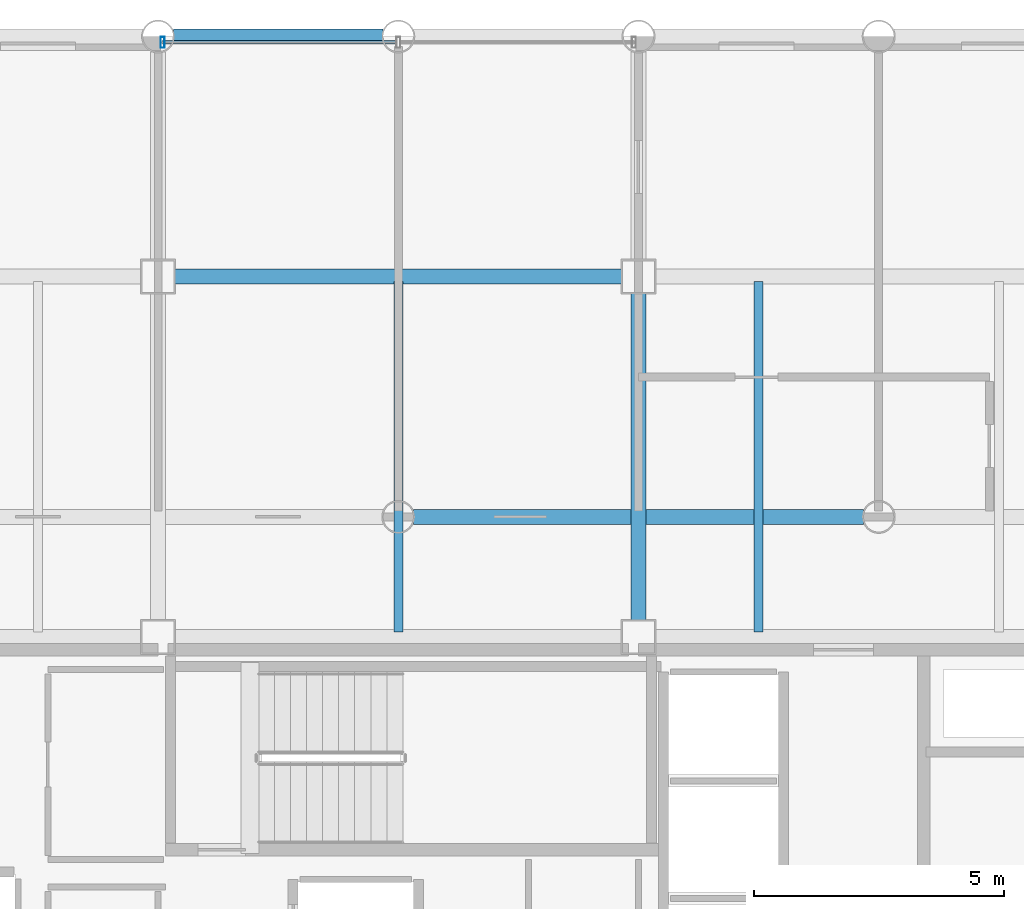
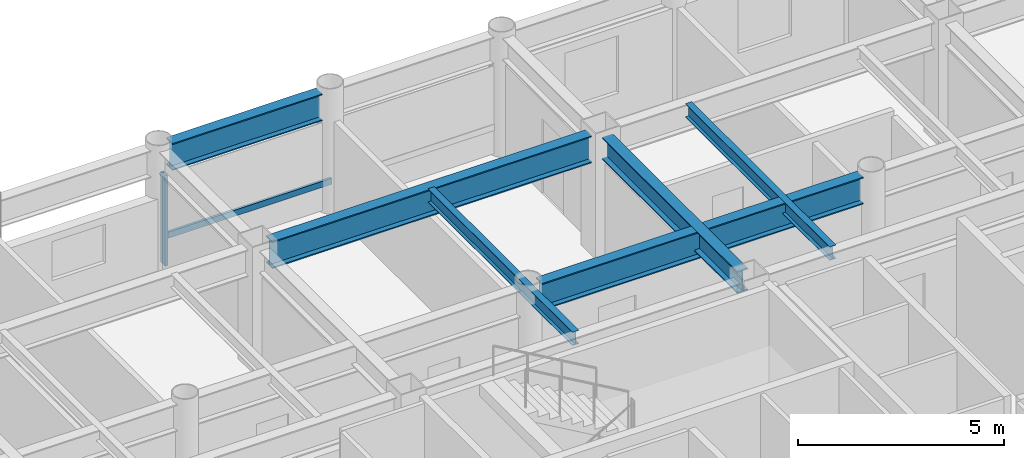
# One storey, part 11 of 20: 6 beams, 2 members, 1 element without a shape of its own.
"""IFC4 building model written with IfcOpenShell, lengths in metres."""

from ifc_helpers import new_model, si_unit, direction, frame, origin, origin_2d, place, context, subcontext, project, spatial, hollow_rectangle, i_section, extrude, material, layer, layer_set, material_profile, profile_set, type_object, element, aggregate, save


model = new_model("IFC4")

# Units and contexts
model_context = context("Model", 3, precision=1e-05, world=origin(), true_north=direction((0.0, 1.0)))
body_context = subcontext(model_context, "Body", "Model", "MODEL_VIEW")
ifc_project = project(units=[si_unit("LENGTHUNIT", "METRE"), si_unit("AREAUNIT", "SQUARE_METRE"), si_unit("VOLUMEUNIT", "CUBIC_METRE"), si_unit("PLANEANGLEUNIT", "RADIAN"), si_unit("MASSUNIT", "GRAM", prefix="KILO")], contexts=[model_context])

# Site, building, storey
site_placement = place(None, origin())
site = spatial("IfcSite", under=ifc_project, at=site_placement, CompositionType="ELEMENT")
building_placement = place(site_placement, origin())
building = spatial("IfcBuilding", under=site, at=building_placement, Name="Kallvorn Hotel Tower", CompositionType="ELEMENT")
storey_placement = place(building_placement, frame((0.0, 0.0, 161.800048828125)))
storey = spatial("IfcBuildingStorey", under=building, at=storey_placement, Name="L40", CompositionType="ELEMENT", Elevation=161.800048828125)

# Beams
ifc_material_1 = material(Name="Structural steel S355JR", Category="steel")
ifc_material_profile_1 = material_profile(ifc_material_1, i_section(OverallWidth=0.300048828125, OverallDepth=0.64990234375, WebThickness=0.01611328125, FlangeThickness=0.031005859375, at=origin_2d()), Name="HE 650 B")
ifc_profile_set_1 = profile_set([ifc_material_profile_1], Name="Structural steel S355JR")
beam_type_1 = type_object("IfcBeamType", Name="BM_HE650B", PredefinedType="BEAM", material=ifc_profile_set_1)
beam_1_placement = place(storey_placement, frame((4.800048828125, 7.52490234375, 3.195068359375), z_axis=(0.0, 1.0, 0.0), x_axis=(-1.0, 0.0, 0.0)))
element("IfcBeam", 1, at=beam_1_placement, inside=storey, type_object=beam_type_1, Name="L41 Primary Y-Girder 117", PredefinedType="BEAM", context=body_context, shape_type="SweptSolid", body=[
    extrude(i_section(OverallWidth=0.300048828125, OverallDepth=0.64990234375, WebThickness=0.01611328125, FlangeThickness=0.031005859375, at=origin_2d()), origin(), (0.0, 0.0, 1.0), 6.550048828125),
])
ifc_material_2 = material(Name="Structural steel S355JR", Category="steel")
ifc_material_profile_2 = material_profile(ifc_material_2, i_section(OverallWidth=0.300048828125, OverallDepth=0.800048828125, WebThickness=0.017578125, FlangeThickness=0.032958984375, at=origin_2d()), Name="HE 800 B")
ifc_profile_set_2 = profile_set([ifc_material_profile_2], Name="Structural steel S355JR")
beam_type_2 = type_object("IfcBeamType", Name="BM_HE800B", PredefinedType="BEAM", material=ifc_profile_set_2)
beam_2_placement = place(storey_placement, frame((0.304931640625, 9.60009765625, 3.119873046875), z_axis=(1.0, 0.0, 0.0), x_axis=(0.0, 1.0, 0.0)))
element("IfcBeam", 2, at=beam_2_placement, inside=storey, type_object=beam_type_2, Name="L41 Primary X-Girder 47", PredefinedType="BEAM", context=body_context, shape_type="SweptSolid", body=[
    extrude(i_section(OverallWidth=0.300048828125, OverallDepth=0.800048828125, WebThickness=0.017578125, FlangeThickness=0.032958984375, at=origin_2d()), origin(), (0.0, 0.0, 1.0), 8.989990234375),
])
beam_3_placement = place(storey_placement, frame((-4.47509765625, 14.39990234375, 3.119873046875), z_axis=(1.0, 0.0, 0.0), x_axis=(0.0, 1.0, 0.0)))
element("IfcBeam", 3, at=beam_3_placement, inside=storey, type_object=beam_type_2, Name="L41 Primary X-Girder 56", PredefinedType="BEAM", context=body_context, shape_type="SweptSolid", body=[
    extrude(i_section(OverallWidth=0.300048828125, OverallDepth=0.800048828125, WebThickness=0.017578125, FlangeThickness=0.032958984375, at=origin_2d()), origin(), (0.0, 0.0, 1.0), 8.9501953125),
])
beam_4_placement = place(storey_placement, frame((-4.4951171875, 19.199951171875, 3.119873046875), z_axis=(1.0, 0.0, 0.0), x_axis=(0.0, 1.0, 0.0)))
element("IfcBeam", 4, at=beam_4_placement, inside=storey, type_object=beam_type_2, Name="L41 Primary X-Girder 66", PredefinedType="BEAM", context=body_context, shape_type="SweptSolid", body=[
    extrude(i_section(OverallWidth=0.300048828125, OverallDepth=0.800048828125, WebThickness=0.017578125, FlangeThickness=0.032958984375, at=origin_2d()), origin(), (0.0, 0.0, 1.0), 4.190185546875),
])
ifc_material_3 = material(Name="Structural steel S355JR", Category="steel")
ifc_material_profile_3 = material_profile(ifc_material_3, i_section(OverallWidth=0.179931640625, OverallDepth=0.39990234375, WebThickness=0.008544921875, FlangeThickness=0.013427734375, at=origin_2d()), Name="IPE 400")
ifc_profile_set_3 = profile_set([ifc_material_profile_3], Name="Structural steel S355JR")
beam_type_3 = type_object("IfcBeamType", Name="BM_IPE400", PredefinedType="JOIST", material=ifc_profile_set_3)
for number, where, z_axis, x_axis, name in (
    (5, (0.0, 7.300048828125, 3.320068359375), (0.0, 1.0, 0.0), (-1.0, 0.0, 0.0), "L41 Secondary Composite Joist 201"),
    (6, (7.199951171875, 7.300048828125, 3.320068359375), (0.0, 1.0, 0.0), (-1.0, 0.0, 0.0), "L41 Secondary Composite Joist 203"),
):
    element("IfcBeam", number, at=place(storey_placement, frame(where, z_axis=z_axis, x_axis=x_axis)), inside=storey, type_object=beam_type_3, Name=name, PredefinedType="JOIST", context=body_context, shape_type="SweptSolid", body=[
        extrude(i_section(OverallWidth=0.179931640625, OverallDepth=0.39990234375, WebThickness=0.008544921875, FlangeThickness=0.013427734375, at=origin_2d()), origin(), (0.0, 0.0, 1.0), 7.0),
    ])

# Curtain wall, members
ifc_material_4 = material(Name="Thermally broken black-anodised aluminium AA 6063-T6", Category="aluminium")
ifc_layer = layer(ifc_material_4, 0.2099609375)
ifc_layer_set = layer_set([ifc_layer], Name="CW_SYS_4_HOTEL_MID")
curtain_wall_type = type_object("IfcCurtainWallType", Name="CW_SYS_4_HOTEL_MID", PredefinedType="USERDEFINED", material=ifc_layer_set)
curtain_wall_placement = place(storey_placement, origin())
curtain_wall = element("IfcCurtainWall", 7, at=curtain_wall_placement, inside=storey, type_object=curtain_wall_type, Name="L40 Dark-Glass Curtain Wall CW-L40-NC", ObjectType="UNITISED CURTAIN WALL", PredefinedType="USERDEFINED")
ifc_material_5 = material(Name="Thermally broken black-anodised aluminium AA 6063-T6", Category="aluminium")
ifc_material_profile_4 = material_profile(ifc_material_5, hollow_rectangle(XDim=0.080078125, YDim=0.219970703125, WallThickness=0.0048828125, at=origin_2d()), Name="MUL 220x80")
ifc_profile_set_4 = profile_set([ifc_material_profile_4], Name="Thermally broken black-anodised aluminium AA 6063-T6")
member_type_1 = type_object("IfcMemberType", Name="CW_MULLION_220x80", PredefinedType="MULLION", material=ifc_profile_set_4)
member_1_placement = place(storey_placement, frame((-4.7099609375, 19.080078125, 0.02001953125), z_axis=(0.0, 0.0, 1.0), x_axis=(1.0, 0.0, 0.0)))
member_1 = element("IfcMember", 8, at=member_1_placement, type_object=member_type_1, Name="CW-L40-NC Mullion 00", PredefinedType="MULLION", context=body_context, shape_type="SweptSolid", body=[
    extrude(hollow_rectangle(XDim=0.080078125, YDim=0.219970703125, WallThickness=0.0048828125, at=origin_2d()), origin(), (0.0, 0.0, 1.0), 2.679931640625),
])
ifc_material_6 = material(Name="Thermally broken black-anodised aluminium AA 6063-T6", Category="aluminium")
ifc_material_profile_5 = material_profile(ifc_material_6, hollow_rectangle(XDim=0.070068359375, YDim=0.179931640625, WallThickness=0.00390625, at=origin_2d()), Name="TRN 180x70")
ifc_profile_set_5 = profile_set([ifc_material_profile_5], Name="Thermally broken black-anodised aluminium AA 6063-T6")
member_type_2 = type_object("IfcMemberType", Name="CW_TRANSOM_180x70", PredefinedType="USERDEFINED", material=ifc_profile_set_5)
member_2_placement = place(storey_placement, frame((-4.7099609375, 19.080078125, 0.849853515625), z_axis=(1.0, 0.0, 0.0), x_axis=(0.0, 1.0, 0.0)))
member_2 = element("IfcMember", 9, at=member_2_placement, type_object=member_type_2, Name="CW-L40-NC Transom 00M", ObjectType="TRANSOM", PredefinedType="USERDEFINED", context=body_context, shape_type="SweptSolid", body=[
    extrude(hollow_rectangle(XDim=0.070068359375, YDim=0.179931640625, WallThickness=0.00390625, at=origin_2d()), origin(), (0.0, 0.0, 1.0), 4.669921875),
])
aggregate(curtain_wall, [member_1, member_2])

save(model, "model.ifc")
